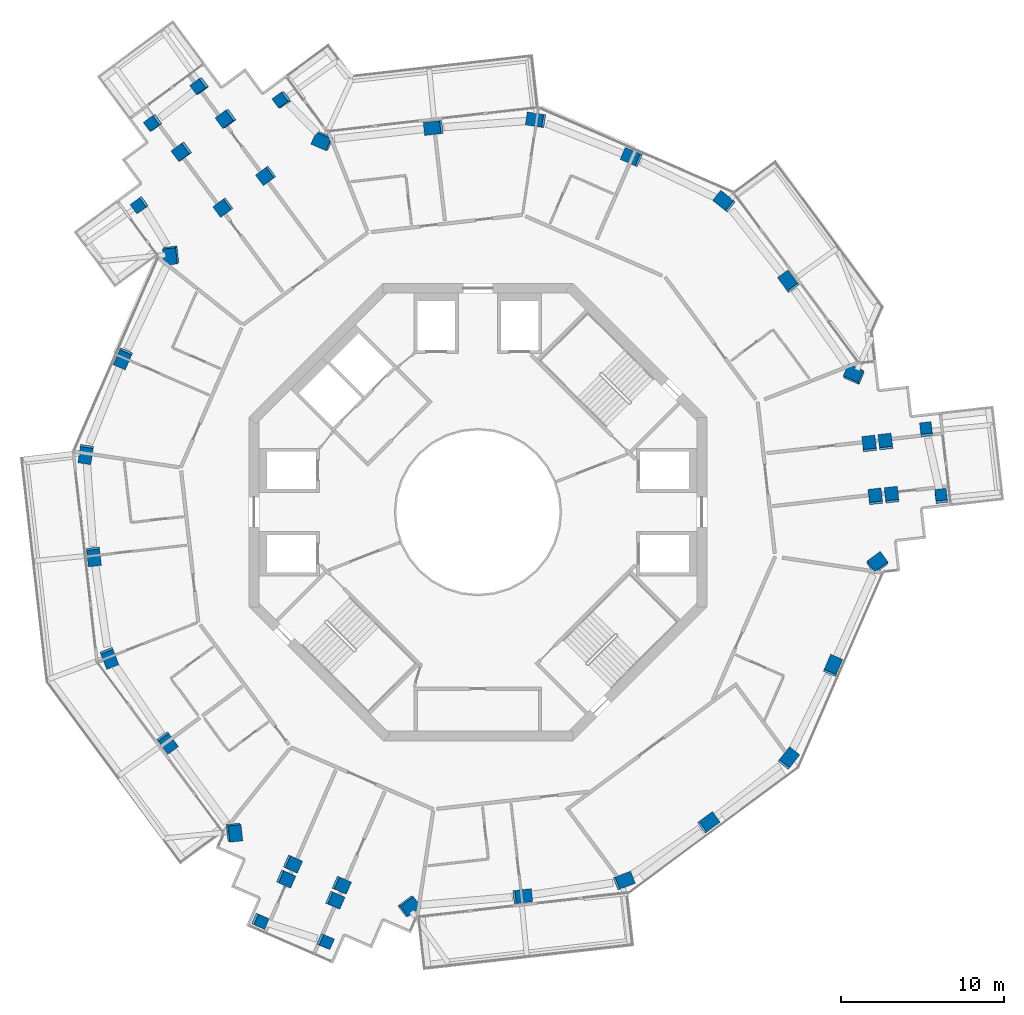
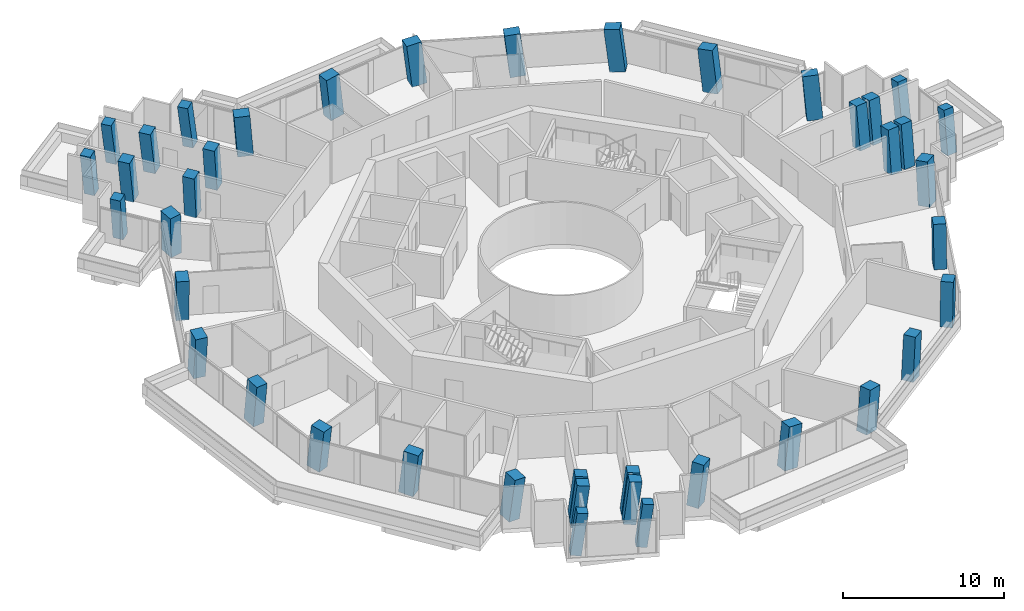
# One storey, part 1 of 23: 41 columns.
"""IFC4 building model written with IfcOpenShell, lengths in metres."""

from ifc_helpers import new_model, si_unit, direction, frame, origin, origin_2d, place, context, subcontext, project, spatial, rectangle, extrude, material, material_profile, profile_set, type_object, element, save


model = new_model("IFC4")

# Units and contexts
model_context = context("Model", 3, precision=1e-05, world=origin(), true_north=direction((0.0, 1.0)))
body_context = subcontext(model_context, "Body", "Model", "MODEL_VIEW")
ifc_project = project(units=[si_unit("LENGTHUNIT", "METRE"), si_unit("AREAUNIT", "SQUARE_METRE"), si_unit("VOLUMEUNIT", "CUBIC_METRE"), si_unit("PLANEANGLEUNIT", "RADIAN"), si_unit("MASSUNIT", "GRAM", prefix="KILO")], contexts=[model_context])

# Site, building, storey
site_placement = place(None, origin())
site = spatial("IfcSite", under=ifc_project, at=site_placement, CompositionType="ELEMENT")
building_placement = place(site_placement, origin())
building = spatial("IfcBuilding", under=site, at=building_placement, Name="Verdalira Terraces Hotel", CompositionType="ELEMENT")
storey_placement = place(building_placement, frame((0.0, 0.0, 183.5)))
storey = spatial("IfcBuildingStorey", under=building, at=storey_placement, Name="L44", CompositionType="ELEMENT", Elevation=183.5)

# Columns
ifc_material_1 = material(Name="Concrete C60", Category="concrete")
ifc_material_profile_1 = material_profile(ifc_material_1, rectangle(XDim=1.0, YDim=0.800049, at=origin_2d()), Name="RC 1000X800")
ifc_profile_set_1 = profile_set([ifc_material_profile_1], Name="Concrete C60")
column_type_1 = type_object("IfcColumnType", Name="Column RC 1000X800 C60", PredefinedType="COLUMN", material=ifc_profile_set_1)
column_1_placement = place(storey_placement, frame((-18.75415, 15.742432, 0.0), z_axis=(-0.074113797, -0.089772712, 0.993200889), x_axis=(-0.119035276, 0.989615937, 0.080566128)))
element("IfcColumn", 1, at=column_1_placement, inside=storey, type_object=column_type_1, Name="Column C03", PredefinedType="COLUMN", context=body_context, shape_type="SweptSolid", body=[
    extrude(rectangle(XDim=1.0, YDim=0.800049, at=origin_2d()), origin(), (0.0, 0.0, 1.0), 3.21167),
])
column_2_placement = place(storey_placement, frame((-21.692871, 9.441406, 0.0), z_axis=(-0.044031928, -0.103577696, 0.99364624), x_axis=(-0.39648645, -0.911115934, -0.112544433)))
element("IfcColumn", 2, at=column_2_placement, inside=storey, type_object=column_type_1, Name="Column C04", PredefinedType="COLUMN", context=body_context, shape_type="SweptSolid", body=[
    extrude(rectangle(XDim=1.0, YDim=0.800049, at=origin_2d()), origin(), (0.0, 0.0, 1.0), 3.210449),
])
column_3_placement = place(storey_placement, frame((-23.987061, 3.593506, 0.0), z_axis=(-0.016117069, -0.114187915, 0.993328425), x_axis=(0.147173067, 0.982365713, 0.115315628)))
element("IfcColumn", 3, at=column_3_placement, inside=storey, type_object=column_type_1, Name="Column C05", PredefinedType="COLUMN", context=body_context, shape_type="SweptSolid", body=[
    extrude(rectangle(XDim=1.0, YDim=0.800049, at=origin_2d()), origin(), (0.0, 0.0, 1.0), 3.211426),
])
column_4_placement = place(storey_placement, frame((-23.50708, -2.669922, 0.0), z_axis=(0.013612645, -0.111714949, 0.993647053), x_axis=(0.111814551, -0.987336251, -0.112537254)))
element("IfcColumn", 4, at=column_4_placement, inside=storey, type_object=column_type_1, Name="Column C06", PredefinedType="COLUMN", context=body_context, shape_type="SweptSolid", body=[
    extrude(rectangle(XDim=1.0, YDim=0.800049, at=origin_2d()), origin(), (0.0, 0.0, 1.0), 3.210449),
])
column_5_placement = place(storey_placement, frame((-22.570312, -8.881592, 0.0), z_axis=(0.043181416, -0.106965234, 0.993324622), x_axis=(-0.364010929, 0.924224428, 0.115348383)))
element("IfcColumn", 5, at=column_5_placement, inside=storey, type_object=column_type_1, Name="Column C07", PredefinedType="COLUMN", context=body_context, shape_type="SweptSolid", body=[
    extrude(rectangle(XDim=1.0, YDim=0.800049, at=origin_2d()), origin(), (0.0, 0.0, 1.0), 3.211426),
])
column_6_placement = place(storey_placement, frame((-19.022705, -14.065918, 0.0), z_axis=(0.067607436, -0.089889752, 0.9936544), x_axis=(0.590507389, -0.799156424, -0.112472368)))
element("IfcColumn", 6, at=column_6_placement, inside=storey, type_object=column_type_1, Name="Column C08", PredefinedType="COLUMN", context=body_context, shape_type="SweptSolid", body=[
    extrude(rectangle(XDim=1.0, YDim=0.800049, at=origin_2d()), origin(), (0.0, 0.0, 1.0), 3.210205),
])
column_7_placement = place(storey_placement, frame((-14.952393, -19.570801, 0.0), z_axis=(0.093641841, -0.070307389, 0.993120374), x_axis=(-0.10567885, 0.991166279, 0.080133564)))
element("IfcColumn", 7, at=column_7_placement, inside=storey, type_object=column_type_1, Name="Column C09", PredefinedType="COLUMN", context=body_context, shape_type="SweptSolid", body=[
    extrude(rectangle(XDim=1.0, YDim=0.800049, at=origin_2d()), origin(), (0.0, 0.0, 1.0), 3.212158),
])
column_8_placement = place(storey_placement, frame((-4.256348, -24.112793, 0.0), z_axis=(0.114856802, -0.019231483, 0.993195884), x_axis=(-0.797127819, -0.598407536, 0.08059567)))
element("IfcColumn", 8, at=column_8_placement, inside=storey, type_object=column_type_1, Name="Column C12", PredefinedType="COLUMN", context=body_context, shape_type="SweptSolid", body=[
    extrude(rectangle(XDim=1.0, YDim=0.800049, at=origin_2d()), origin(), (0.0, 0.0, 1.0), 3.211914),
])
column_9_placement = place(storey_placement, frame((2.669922, -23.50708, 0.0), z_axis=(0.111714949, 0.013612645, 0.993647053), x_axis=(0.987336251, 0.111814551, -0.112537254)))
element("IfcColumn", 9, at=column_9_placement, inside=storey, type_object=column_type_1, Name="Column C13", PredefinedType="COLUMN", context=body_context, shape_type="SweptSolid", body=[
    extrude(rectangle(XDim=1.0, YDim=0.800049, at=origin_2d()), origin(), (0.0, 0.0, 1.0), 3.210449),
])
column_10_placement = place(storey_placement, frame((8.881592, -22.570312, 0.0), z_axis=(0.106965234, 0.043181416, 0.993324622), x_axis=(-0.924224428, -0.364010929, 0.115348383)))
element("IfcColumn", 10, at=column_10_placement, inside=storey, type_object=column_type_1, Name="Column C14", PredefinedType="COLUMN", context=body_context, shape_type="SweptSolid", body=[
    extrude(rectangle(XDim=1.0, YDim=0.800049, at=origin_2d()), origin(), (0.0, 0.0, 1.0), 3.211426),
])
column_11_placement = place(storey_placement, frame((14.065918, -19.022705, 0.0), z_axis=(0.089889752, 0.067607436, 0.9936544), x_axis=(0.799156424, 0.590507389, -0.112472368)))
element("IfcColumn", 11, at=column_11_placement, inside=storey, type_object=column_type_1, Name="Column C15", PredefinedType="COLUMN", context=body_context, shape_type="SweptSolid", body=[
    extrude(rectangle(XDim=1.0, YDim=0.800049, at=origin_2d()), origin(), (0.0, 0.0, 1.0), 3.210205),
])
column_12_placement = place(storey_placement, frame((18.976807, -15.105713, 0.0), z_axis=(0.07108209, 0.090848232, 0.993324688), x_axis=(-0.618726057, -0.777092625, 0.115347815)))
element("IfcColumn", 12, at=column_12_placement, inside=storey, type_object=column_type_1, Name="Column C16", PredefinedType="COLUMN", context=body_context, shape_type="SweptSolid", body=[
    extrude(rectangle(XDim=1.0, YDim=0.800049, at=origin_2d()), origin(), (0.0, 0.0, 1.0), 3.211426),
])
column_13_placement = place(storey_placement, frame((21.692871, -9.441406, 0.0), z_axis=(0.044031928, 0.103577696, 0.99364624), x_axis=(0.39648645, 0.911115934, -0.112544433)))
element("IfcColumn", 13, at=column_13_placement, inside=storey, type_object=column_type_1, Name="Column C17", PredefinedType="COLUMN", context=body_context, shape_type="SweptSolid", body=[
    extrude(rectangle(XDim=1.0, YDim=0.800049, at=origin_2d()), origin(), (0.0, 0.0, 1.0), 3.210449),
])
column_14_placement = place(storey_placement, frame((24.425049, -3.163818, 0.0), z_axis=(0.01406141, 0.116291659, 0.993115566), x_axis=(-0.80548208, -0.587173534, 0.080161464)))
element("IfcColumn", 14, at=column_14_placement, inside=storey, type_object=column_type_1, Name="Column C18", PredefinedType="COLUMN", context=body_context, shape_type="SweptSolid", body=[
    extrude(rectangle(XDim=1.0, YDim=0.800049, at=origin_2d()), origin(), (0.0, 0.0, 1.0), 3.212158),
])
column_15_placement = place(storey_placement, frame((23.010498, 8.370361, 0.0), z_axis=(-0.040743451, 0.109079948, 0.993197632), x_axis=(0.916711582, -0.391338569, 0.080585355)))
element("IfcColumn", 15, at=column_15_placement, inside=storey, type_object=column_type_1, Name="Column C21", PredefinedType="COLUMN", context=body_context, shape_type="SweptSolid", body=[
    extrude(rectangle(XDim=1.0, YDim=0.800049, at=origin_2d()), origin(), (0.0, 0.0, 1.0), 3.21167),
])
column_16_placement = place(storey_placement, frame((19.022705, 14.065918, 0.0), z_axis=(-0.067607436, 0.089889752, 0.9936544), x_axis=(-0.590507389, 0.799156424, -0.112472368)))
element("IfcColumn", 16, at=column_16_placement, inside=storey, type_object=column_type_1, Name="Column C22", PredefinedType="COLUMN", context=body_context, shape_type="SweptSolid", body=[
    extrude(rectangle(XDim=1.0, YDim=0.800049, at=origin_2d()), origin(), (0.0, 0.0, 1.0), 3.210205),
])
column_17_placement = place(storey_placement, frame((15.105713, 18.976807, 0.0), z_axis=(-0.090848232, 0.07108209, 0.993324688), x_axis=(0.777092625, -0.618726057, 0.115347815)))
element("IfcColumn", 17, at=column_17_placement, inside=storey, type_object=column_type_1, Name="Column C23", PredefinedType="COLUMN", context=body_context, shape_type="SweptSolid", body=[
    extrude(rectangle(XDim=1.0, YDim=0.800049, at=origin_2d()), origin(), (0.0, 0.0, 1.0), 3.211426),
])
column_18_placement = place(storey_placement, frame((9.441406, 21.692871, 0.0), z_axis=(-0.103577696, 0.044031928, 0.99364624), x_axis=(-0.911115934, 0.39648645, -0.112544433)))
element("IfcColumn", 18, at=column_18_placement, inside=storey, type_object=column_type_1, Name="Column C24", PredefinedType="COLUMN", context=body_context, shape_type="SweptSolid", body=[
    extrude(rectangle(XDim=1.0, YDim=0.800049, at=origin_2d()), origin(), (0.0, 0.0, 1.0), 3.210449),
])
column_19_placement = place(storey_placement, frame((3.593506, 23.987061, 0.0), z_axis=(-0.114187915, 0.016117069, 0.993328425), x_axis=(0.982365713, -0.147173067, 0.115315628)))
element("IfcColumn", 19, at=column_19_placement, inside=storey, type_object=column_type_1, Name="Column C25", PredefinedType="COLUMN", context=body_context, shape_type="SweptSolid", body=[
    extrude(rectangle(XDim=1.0, YDim=0.800049, at=origin_2d()), origin(), (0.0, 0.0, 1.0), 3.211426),
])
column_20_placement = place(storey_placement, frame((-2.669922, 23.50708, 0.0), z_axis=(-0.111714949, -0.013612645, 0.993647053), x_axis=(-0.987336251, -0.111814551, -0.112537254)))
element("IfcColumn", 20, at=column_20_placement, inside=storey, type_object=column_type_1, Name="Column C26", PredefinedType="COLUMN", context=body_context, shape_type="SweptSolid", body=[
    extrude(rectangle(XDim=1.0, YDim=0.800049, at=origin_2d()), origin(), (0.0, 0.0, 1.0), 3.210449),
])
column_21_placement = place(storey_placement, frame((-9.472656, 22.734619, 0.0), z_axis=(-0.107703175, -0.045984771, 0.99311904), x_axis=(0.911355558, -0.40374301, 0.080141306)))
element("IfcColumn", 21, at=column_21_placement, inside=storey, type_object=column_type_1, Name="Column C27", PredefinedType="COLUMN", context=body_context, shape_type="SweptSolid", body=[
    extrude(rectangle(XDim=1.0, YDim=0.800049, at=origin_2d()), origin(), (0.0, 0.0, 1.0), 3.212158),
])
ifc_material_2 = material(Name="Concrete C60", Category="concrete")
ifc_material_profile_2 = material_profile(ifc_material_2, rectangle(XDim=0.699951, YDim=0.699951, at=origin_2d()), Name="RC 700X700")
ifc_profile_set_2 = profile_set([ifc_material_profile_2], Name="Concrete C60")
column_type_2 = type_object("IfcColumnType", Name="Column RC 700X700 C60", PredefinedType="COLUMN", material=ifc_profile_set_2)
column_22_placement = place(storey_placement, frame((-11.946289, 25.239014, 0.0), z_axis=(-0.139679047, -0.030677882, 0.989721492), x_axis=(-0.587274245, 0.807317431, -0.05785781)))
element("IfcColumn", 22, at=column_22_placement, inside=storey, type_object=column_type_2, Name="Column C01", PredefinedType="COLUMN", context=body_context, shape_type="SweptSolid", body=[
    extrude(rectangle(XDim=0.699951, YDim=0.699951, at=origin_2d()), origin(), (0.0, 0.0, 1.0), 3.223145),
])
column_23_placement = place(storey_placement, frame((-20.658203, 18.822266, 0.0), z_axis=(-0.109188281, -0.07185636, 0.991420487), x_axis=(0.59365751, -0.804686852, 0.007059139)))
element("IfcColumn", 23, at=column_23_placement, inside=storey, type_object=column_type_2, Name="Column C02", PredefinedType="COLUMN", context=body_context, shape_type="SweptSolid", body=[
    extrude(rectangle(XDim=0.699951, YDim=0.699951, at=origin_2d()), origin(), (0.0, 0.0, 1.0), 3.217529),
])
column_24_placement = place(storey_placement, frame((-13.385986, -24.99292, 0.0), z_axis=(0.119067855, -0.062491664, 0.990917574), x_axis=(0.90917174, -0.394235841, -0.134107605)))
element("IfcColumn", 24, at=column_24_placement, inside=storey, type_object=column_type_2, Name="Column C10", PredefinedType="COLUMN", context=body_context, shape_type="SweptSolid", body=[
    extrude(rectangle(XDim=0.699951, YDim=0.699951, at=origin_2d()), origin(), (0.0, 0.0, 1.0), 3.219238),
])
column_25_placement = place(storey_placement, frame((-9.395996, -26.249512, 0.0), z_axis=(0.124944069, -0.043544563, 0.991207774), x_axis=(0.90838165, -0.396782105, -0.131934602)))
element("IfcColumn", 25, at=column_25_placement, inside=storey, type_object=column_type_2, Name="Column C11", PredefinedType="COLUMN", context=body_context, shape_type="SweptSolid", body=[
    extrude(rectangle(XDim=0.699951, YDim=0.699951, at=origin_2d()), origin(), (0.0, 0.0, 1.0), 3.218262),
])
column_26_placement = place(storey_placement, frame((28.337402, 0.903809, 0.0), z_axis=(-0.005460416, 0.134386914, 0.990913892), x_axis=(-0.113495396, 0.984442323, -0.13413466)))
element("IfcColumn", 26, at=column_26_placement, inside=storey, type_object=column_type_2, Name="Column C19", PredefinedType="COLUMN", context=body_context, shape_type="SweptSolid", body=[
    extrude(rectangle(XDim=0.699951, YDim=0.699951, at=origin_2d()), origin(), (0.0, 0.0, 1.0), 3.219238),
])
column_27_placement = place(storey_placement, frame((27.430664, 4.987549, 0.0), z_axis=(-0.024730987, 0.129951473, 0.991211881), x_axis=(-0.110381794, 0.985097567, -0.131903918)))
element("IfcColumn", 27, at=column_27_placement, inside=storey, type_object=column_type_2, Name="Column C20", PredefinedType="COLUMN", context=body_context, shape_type="SweptSolid", body=[
    extrude(rectangle(XDim=0.699951, YDim=0.699951, at=origin_2d()), origin(), (0.0, 0.0, 1.0), 3.218262),
])
column_28_placement = place(storey_placement, frame((-16.966797, 26.091309, 0.0), z_axis=(-0.143244176, -0.054453963, 0.988188176), x_axis=(-0.791435507, -0.593211103, -0.147412433)))
element("IfcColumn", 28, at=column_28_placement, inside=storey, type_object=column_type_2, Name="Column C28", PredefinedType="COLUMN", context=body_context, shape_type="SweptSolid", body=[
    extrude(rectangle(XDim=0.699951, YDim=0.699951, at=origin_2d()), origin(), (0.0, 0.0, 1.0), 3.228027),
])
column_29_placement = place(storey_placement, frame((-19.820068, 23.844482, 0.0), z_axis=(-0.132666819, -0.067884847, 0.988833233), x_axis=(-0.793212495, -0.590938103, -0.146990126)))
element("IfcColumn", 29, at=column_29_placement, inside=storey, type_object=column_type_2, Name="Column C29", PredefinedType="COLUMN", context=body_context, shape_type="SweptSolid", body=[
    extrude(rectangle(XDim=0.699951, YDim=0.699951, at=origin_2d()), origin(), (0.0, 0.0, 1.0), 3.226074),
])
ifc_material_3 = material(Name="Concrete C60", Category="concrete")
ifc_material_profile_3 = material_profile(ifc_material_3, rectangle(XDim=0.800049, YDim=0.800049, at=origin_2d()), Name="RC 800X800")
ifc_profile_set_3 = profile_set([ifc_material_profile_3], Name="Concrete C60")
column_type_3 = type_object("IfcColumnType", Name="Column RC 800X800 C60", PredefinedType="COLUMN", material=ifc_profile_set_3)
for number, where, z_axis, x_axis, name in (
    (30, (-12.929932, 20.608887, 0.0), (-0.097458898, -0.062261184, 0.993290143), (-0.593632628, 0.804698312, -0.007805687), "Column C30"),
    (31, (-15.54834, 18.672852, 0.0), (-0.088110018, -0.074654045, 0.993309317), (-0.59538615, 0.803404039, 0.007568515), "Column C31"),
):
    element("IfcColumn", number, at=place(storey_placement, frame(where, z_axis=z_axis, x_axis=x_axis)), inside=storey, type_object=column_type_3, Name=name, PredefinedType="COLUMN", context=body_context, shape_type="SweptSolid", body=[
        extrude(rectangle(XDim=0.800049, YDim=0.800049, at=origin_2d()), origin(), (0.0, 0.0, 1.0), 3.211426),
    ])
column_30_placement = place(storey_placement, frame((-15.357422, 24.084717, 0.0), z_axis=(-0.134167159, -0.046818354, 0.989852118), x_axis=(-0.589279761, 0.806851695, -0.041709789)))
element("IfcColumn", 32, at=column_30_placement, inside=storey, type_object=column_type_3, Name="Column C32", PredefinedType="COLUMN", context=body_context, shape_type="SweptSolid", body=[
    extrude(rectangle(XDim=0.800049, YDim=0.800049, at=origin_2d()), origin(), (0.0, 0.0, 1.0), 3.222656),
])
column_31_placement = place(storey_placement, frame((-18.068115, 22.080566, 0.0), z_axis=(-0.124542053, -0.059580069, 0.990423895), x_axis=(-0.591357724, 0.805994107, -0.025875507)))
element("IfcColumn", 33, at=column_31_placement, inside=storey, type_object=column_type_3, Name="Column C33", PredefinedType="COLUMN", context=body_context, shape_type="SweptSolid", body=[
    extrude(rectangle(XDim=0.800049, YDim=0.800049, at=origin_2d()), origin(), (0.0, 0.0, 1.0), 3.220703),
])
for number, where, z_axis, x_axis, name in (
    (34, (-11.383057, -21.502197, 0.0), (0.102704074, -0.053214546, 0.993287514), (-0.399473697, -0.916711412, -0.007807211), "Column C34"),
    (35, (-8.397217, -22.801758, 0.0), (0.108787079, -0.038999142, 0.993299773), (-0.398015219, -0.917347547, 0.007573893), "Column C35"),
):
    element("IfcColumn", number, at=place(storey_placement, frame(where, z_axis=z_axis, x_axis=x_axis)), inside=storey, type_object=column_type_3, Name=name, PredefinedType="COLUMN", context=body_context, shape_type="SweptSolid", body=[
        extrude(rectangle(XDim=0.800049, YDim=0.800049, at=origin_2d()), origin(), (0.0, 0.0, 1.0), 3.211426),
    ])
column_32_placement = place(storey_placement, frame((-11.797363, -22.412354, 0.0), z_axis=(0.106977201, -0.05516012, 0.992730195), x_axis=(-0.399852625, -0.916545926, -0.007838654)))
element("IfcColumn", 36, at=column_32_placement, inside=storey, type_object=column_type_3, Name="Column C36", PredefinedType="COLUMN", context=body_context, shape_type="SweptSolid", body=[
    extrude(rectangle(XDim=0.800049, YDim=0.800049, at=origin_2d()), origin(), (0.0, 0.0, 1.0), 3.213379),
])
column_33_placement = place(storey_placement, frame((-8.796143, -23.718506, 0.0), z_axis=(0.113057394, -0.040876934, 0.99274725), x_axis=(-0.39838204, -0.917188061, 0.007603344)))
element("IfcColumn", 37, at=column_33_placement, inside=storey, type_object=column_type_3, Name="Column C37", PredefinedType="COLUMN", context=body_context, shape_type="SweptSolid", body=[
    extrude(rectangle(XDim=0.800049, YDim=0.800049, at=origin_2d()), origin(), (0.0, 0.0, 1.0), 3.213135),
])
for number, where, z_axis, x_axis, name in (
    (38, (24.312988, 0.893066, 0.0), (-0.005245388, 0.115626604, 0.993278901), (0.993656396, 0.112187062, -0.007812202), "Column C38"),
    (39, (23.945312, 4.128906, 0.0), (-0.020602032, 0.113653278, 0.993306845), (0.9934604, 0.113925986, 0.007569908), "Column C39"),
):
    element("IfcColumn", number, at=place(storey_placement, frame(where, z_axis=z_axis, x_axis=x_axis)), inside=storey, type_object=column_type_3, Name=name, PredefinedType="COLUMN", context=body_context, shape_type="SweptSolid", body=[
        extrude(rectangle(XDim=0.800049, YDim=0.800049, at=origin_2d()), origin(), (0.0, 0.0, 1.0), 3.211426),
    ])
column_34_placement = place(storey_placement, frame((25.30835, 0.989258, 0.0), z_axis=(-0.005698327, 0.120272688, 0.992724539), x_axis=(0.993699249, 0.111804789, -0.007841691)))
element("IfcColumn", 40, at=column_34_placement, inside=storey, type_object=column_type_3, Name="Column C40", PredefinedType="COLUMN", context=body_context, shape_type="SweptSolid", body=[
    extrude(rectangle(XDim=0.800049, YDim=0.800049, at=origin_2d()), origin(), (0.0, 0.0, 1.0), 3.213379),
])
column_35_placement = place(storey_placement, frame((24.938965, 4.241699, 0.0), z_axis=(-0.021122407, 0.118300676, 0.992753138), x_axis=(0.993496633, 0.113607552, 0.007600268)))
element("IfcColumn", 41, at=column_35_placement, inside=storey, type_object=column_type_3, Name="Column C41", PredefinedType="COLUMN", context=body_context, shape_type="SweptSolid", body=[
    extrude(rectangle(XDim=0.800049, YDim=0.800049, at=origin_2d()), origin(), (0.0, 0.0, 1.0), 3.213135),
])

save(model, "model.ifc")
